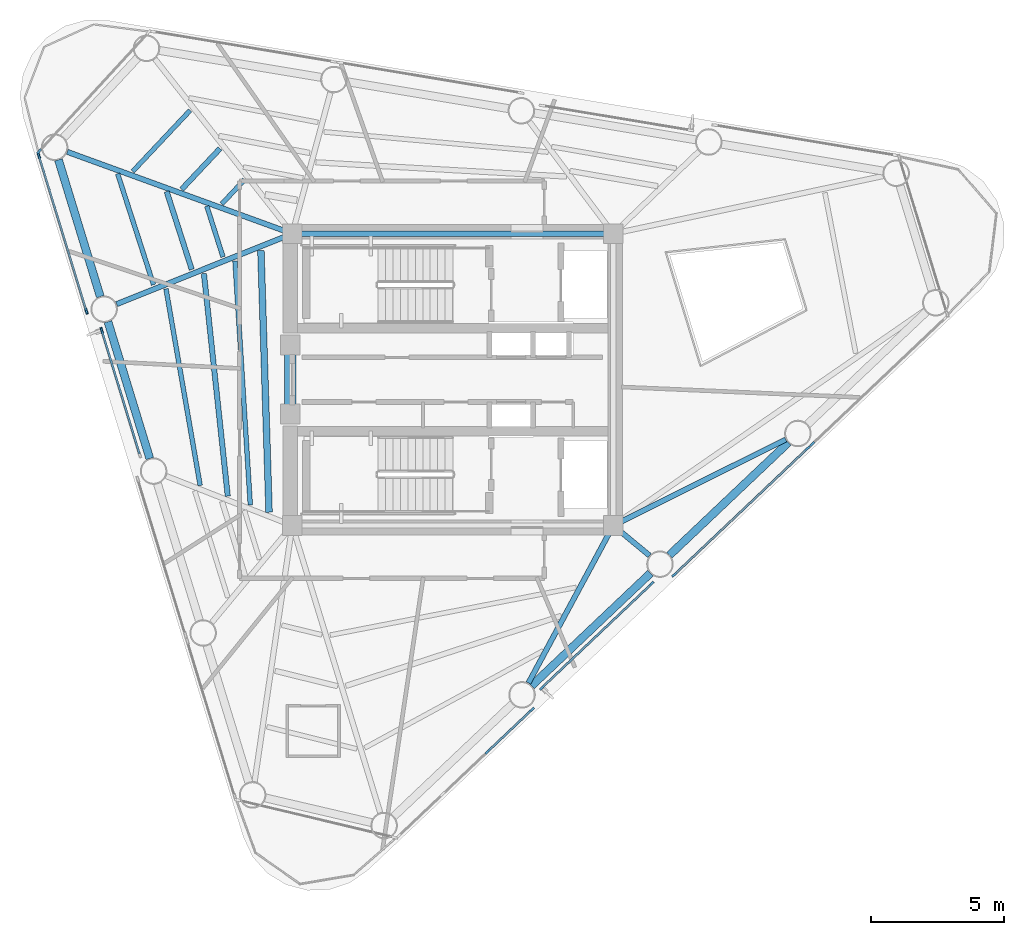
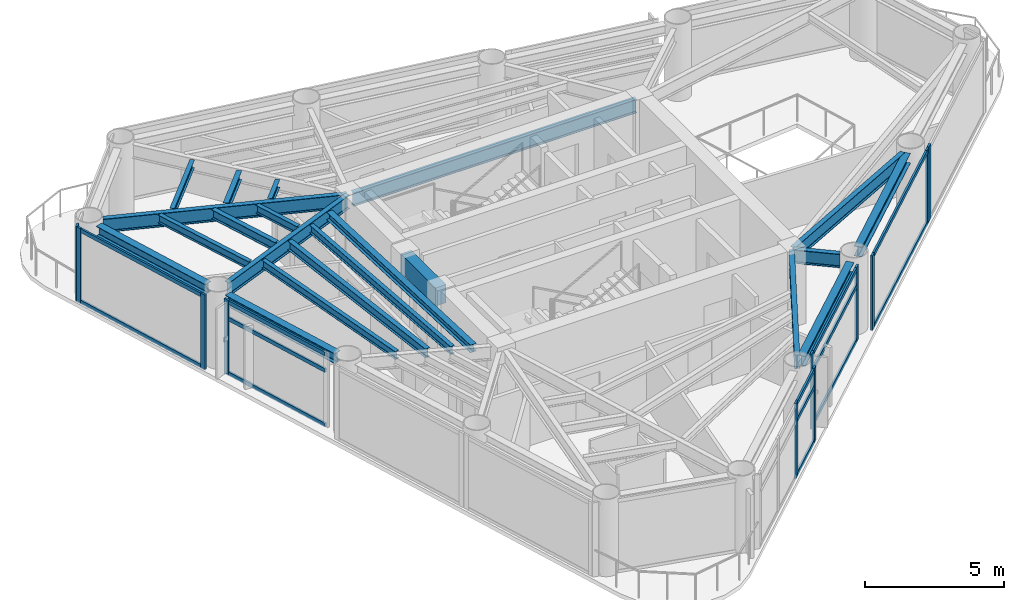
# One storey, part 2 of 9: 24 members, 21 beams, 7 elements without a shape of their own.
"""IFC4 building model written with IfcOpenShell, lengths in metres."""

from ifc_helpers import new_model, si_unit, direction, frame, origin, origin_2d, place, context, subcontext, project, spatial, rectangle, i_section, extrude, source, transform, mapped, material, layer, layer_set, material_profile, profile_set, type_object, element, aggregate, save


model = new_model("IFC4")

# Units and contexts
model_context = context("Model", 3, precision=1e-05, world=origin(), true_north=direction((0.0, 1.0)))
body_context = subcontext(model_context, "Body", "Model", "MODEL_VIEW")
ifc_project = project(units=[si_unit("LENGTHUNIT", "METRE"), si_unit("AREAUNIT", "SQUARE_METRE"), si_unit("VOLUMEUNIT", "CUBIC_METRE"), si_unit("PLANEANGLEUNIT", "RADIAN"), si_unit("MASSUNIT", "GRAM", prefix="KILO")], contexts=[model_context])

# Site, building, storey
site_placement = place(None, origin())
site = spatial("IfcSite", under=ifc_project, at=site_placement, CompositionType="ELEMENT")
building_placement = place(site_placement, origin())
building = spatial("IfcBuilding", under=site, at=building_placement, Name="Yunling Apex Tower", CompositionType="ELEMENT")
storey_placement = place(building_placement, frame((0.0, 0.0, 232.050048828125)))
storey = spatial("IfcBuildingStorey", under=building, at=storey_placement, Name="L56", CompositionType="ELEMENT", Elevation=232.050048828125)

# Beams
ifc_material_1 = material(Name="Concrete C40", Category="concrete")
ifc_material_profile_1 = material_profile(ifc_material_1, rectangle(XDim=0.449951171875, YDim=0.800048828125, at=origin_2d()))
ifc_profile_set_1 = profile_set([ifc_material_profile_1], Name="Concrete C40")
beam_type_1 = type_object("IfcBeamType", Name="BC-CPL-3", PredefinedType="BEAM", material=ifc_profile_set_1)
shared_shape_1 = source(origin(), body_context, "Body", "SweptSolid", [
    extrude(rectangle(XDim=0.449951171875, YDim=0.800048828125, at=origin_2d()), origin(), (0.0, 0.0, 1.0), 2.5),
])
beam_1_placement = place(storey_placement, frame((-6.125, -1.25, 2.820068359375), z_axis=(0.0, 1.0, 0.0), x_axis=(-1.0, 0.0, 0.0)))
element("IfcBeam", 1, at=beam_1_placement, inside=storey, type_object=beam_type_1, Name="L56 Core West Portal Coupling Beam", PredefinedType="BEAM", context=body_context, shape_type="MappedRepresentation", body=[
    mapped(shared_shape_1, transform((0.0, 0.0, 0.0), scale=1.0)),
])
ifc_material_2 = material(Name="Steel Q355B", Category="steel")
ifc_material_profile_2 = material_profile(ifc_material_2, i_section(OverallWidth=0.199951171875, OverallDepth=0.60009765625, WebThickness=0.010986328125, FlangeThickness=0.01708984375, FilletRadius=0.02197265625, at=origin_2d()))
ifc_profile_set_2 = profile_set([ifc_material_profile_2], Name="Steel Q355B")
beam_type_2 = type_object("IfcBeamType", Name="BG-PRI-5", PredefinedType="USERDEFINED", material=ifc_profile_set_2)
shared_shape_2 = source(origin(), body_context, "Body", "SweptSolid", [
    extrude(i_section(OverallWidth=0.199951171875, OverallDepth=0.60009765625, WebThickness=0.010986328125, FlangeThickness=0.01708984375, FilletRadius=0.02197265625, at=origin_2d()), origin(), (0.0, 0.0, 1.0), 11.7998046875),
])
beam_2_placement = place(storey_placement, frame((5.89990234375, 5.5, 2.919921875), z_axis=(-1.0, 0.0, 0.0), x_axis=(0.0, -1.0, 0.0)))
element("IfcBeam", 2, at=beam_2_placement, inside=storey, type_object=beam_type_2, Name="L56 Core Ring Tie Beam 3", ObjectType="GIRDER", PredefinedType="USERDEFINED", context=body_context, shape_type="MappedRepresentation", body=[
    mapped(shared_shape_2, transform((0.0, 0.0, 0.0), scale=1.0)),
])
ifc_material_profile_3 = material_profile(ifc_material_2, i_section(OverallWidth=0.300048828125, OverallDepth=0.43994140625, WebThickness=0.010986328125, FlangeThickness=0.01806640625, FilletRadius=0.02197265625, at=origin_2d()))
ifc_profile_set_3 = profile_set([ifc_material_profile_3], Name="Steel Q355B")
beam_type_3 = type_object("IfcBeamType", Name="BP-SPN-3", PredefinedType="SPANDREL", material=ifc_profile_set_3)
shared_shape_3 = source(origin(), body_context, "Body", "SweptSolid", [
    extrude(i_section(OverallWidth=0.300048828125, OverallDepth=0.43994140625, WebThickness=0.010986328125, FlangeThickness=0.01806640625, FilletRadius=0.02197265625, at=origin_2d()), origin(), (0.0, 0.0, 1.0), 6.17333984375),
])
beam_3_placement = place(storey_placement, frame((8.16748046875, -6.6162109375, 3.0), z_axis=(0.725853952128, 0.687848849807, 0.0), x_axis=(-0.687848849807, 0.725853952128, 0.0)))
element("IfcBeam", 3, at=beam_3_placement, inside=storey, type_object=beam_type_3, Name="L56 Perimeter Spandrel Beam 3", PredefinedType="SPANDREL", context=body_context, shape_type="MappedRepresentation", body=[
    mapped(shared_shape_3, transform((0.0, 0.0, 0.0), scale=1.0)),
])
shared_shape_4 = source(origin(), body_context, "Body", "SweptSolid", [
    extrude(i_section(OverallWidth=0.300048828125, OverallDepth=0.43994140625, WebThickness=0.010986328125, FlangeThickness=0.01806640625, FilletRadius=0.02197265625, at=origin_2d()), origin(), (0.0, 0.0, 1.0), 6.173095703125),
])
beam_4_placement = place(storey_placement, frame((2.969482421875, -11.5419921875, 3.0), z_axis=(0.725873697531, 0.687828012829, 0.0), x_axis=(-0.687828012829, 0.725873697531, 0.0)))
element("IfcBeam", 4, at=beam_4_placement, inside=storey, type_object=beam_type_3, Name="L56 Perimeter Spandrel Beam 2", PredefinedType="SPANDREL", context=body_context, shape_type="MappedRepresentation", body=[
    mapped(shared_shape_4, transform((0.0, 0.0, 0.0), scale=1.0)),
])
shared_shape_5 = source(origin(), body_context, "Body", "SweptSolid", [
    extrude(i_section(OverallWidth=0.300048828125, OverallDepth=0.43994140625, WebThickness=0.010986328125, FlangeThickness=0.01806640625, FilletRadius=0.02197265625, at=origin_2d()), origin(), (0.0, 0.0, 1.0), 5.39404296875),
])
for number, where, z_axis, x_axis, name in (
    (5, (-14.863037109375, 8.286376953125, 3.0), (0.292393318538, -0.956298147689, 0.0), (0.956298147689, 0.292393318538, 0.0), "L56 Perimeter Spandrel Beam 11"),
    (6, (-12.997314453125, 2.183349609375, 3.0), (0.292380663083, -0.956302017072, 0.0), (0.956302017072, 0.292380663083, 0.0), "L56 Perimeter Spandrel Beam 12"),
):
    element("IfcBeam", number, at=place(storey_placement, frame(where, z_axis=z_axis, x_axis=x_axis)), inside=storey, type_object=beam_type_3, Name=name, PredefinedType="SPANDREL", context=body_context, shape_type="MappedRepresentation", body=[
        mapped(shared_shape_5, transform((0.0, 0.0, 0.0), scale=1.0)),
    ])
shared_shape_6 = source(origin(), body_context, "Body", "SweptSolid", [
    extrude(i_section(OverallWidth=0.199951171875, OverallDepth=0.60009765625, WebThickness=0.010986328125, FlangeThickness=0.01708984375, FilletRadius=0.02197265625, at=origin_2d()), origin(), (0.0, 0.0, 1.0), 6.661865234375),
])
beam_5_placement = place(storey_placement, frame((2.851806640625, -11.434814453125, 2.919921875), z_axis=(0.474372979845, 0.88032396082, 0.0), x_axis=(-0.88032396082, 0.474372979845, 0.0)))
element("IfcBeam", 7, at=beam_5_placement, inside=storey, type_object=beam_type_2, Name="L56 Radial Primary Girder R02", ObjectType="GIRDER", PredefinedType="USERDEFINED", context=body_context, shape_type="MappedRepresentation", body=[
    mapped(shared_shape_6, transform((0.0, 0.0, 0.0), scale=1.0)),
])
shared_shape_7 = source(origin(), body_context, "Body", "SweptSolid", [
    extrude(i_section(OverallWidth=0.199951171875, OverallDepth=0.60009765625, WebThickness=0.010986328125, FlangeThickness=0.01708984375, FilletRadius=0.02197265625, at=origin_2d()), origin(), (0.0, 0.0, 1.0), 1.695556640625),
])
beam_6_placement = place(storey_placement, frame((7.417724609375, -6.632080078125, 2.919921875), z_axis=(-0.770365054174, 0.637603076614, 0.0), x_axis=(-0.637603076614, -0.770365054174, 0.0)))
element("IfcBeam", 8, at=beam_6_placement, inside=storey, type_object=beam_type_2, Name="L56 Radial Primary Girder R03", ObjectType="GIRDER", PredefinedType="USERDEFINED", context=body_context, shape_type="MappedRepresentation", body=[
    mapped(shared_shape_7, transform((0.0, 0.0, 0.0), scale=1.0)),
])
shared_shape_8 = source(origin(), body_context, "Body", "SweptSolid", [
    extrude(i_section(OverallWidth=0.199951171875, OverallDepth=0.60009765625, WebThickness=0.010986328125, FlangeThickness=0.01708984375, FilletRadius=0.02197265625, at=origin_2d()), origin(), (0.0, 0.0, 1.0), 7.1865234375),
])
beam_7_placement = place(storey_placement, frame((12.552490234375, -2.256591796875, 2.919921875), z_axis=(-0.894854827722, -0.446357297803, 0.0), x_axis=(0.446357297803, -0.894854827722, 0.0)))
element("IfcBeam", 9, at=beam_7_placement, inside=storey, type_object=beam_type_2, Name="L56 Radial Primary Girder R04", ObjectType="GIRDER", PredefinedType="USERDEFINED", context=body_context, shape_type="MappedRepresentation", body=[
    mapped(shared_shape_8, transform((0.0, 0.0, 0.0), scale=1.0)),
])
shared_shape_9 = source(origin(), body_context, "Body", "SweptSolid", [
    extrude(i_section(OverallWidth=0.199951171875, OverallDepth=0.60009765625, WebThickness=0.010986328125, FlangeThickness=0.01708984375, FilletRadius=0.02197265625, at=origin_2d()), origin(), (0.0, 0.0, 1.0), 8.943603515625),
])
beam_8_placement = place(storey_placement, frame((-14.530029296875, 8.5849609375, 2.919921875), z_axis=(0.939745593755, -0.341874566205, 0.0), x_axis=(0.341874566205, 0.939745593755, 0.0)))
element("IfcBeam", 10, at=beam_8_placement, inside=storey, type_object=beam_type_2, Name="L56 Radial Primary Girder R11", ObjectType="GIRDER", PredefinedType="USERDEFINED", context=body_context, shape_type="MappedRepresentation", body=[
    mapped(shared_shape_9, transform((0.0, 0.0, 0.0), scale=1.0)),
])
shared_shape_10 = source(origin(), body_context, "Body", "SweptSolid", [
    extrude(i_section(OverallWidth=0.199951171875, OverallDepth=0.60009765625, WebThickness=0.010986328125, FlangeThickness=0.01708984375, FilletRadius=0.02197265625, at=origin_2d()), origin(), (0.0, 0.0, 1.0), 7.052734375),
])
beam_9_placement = place(storey_placement, frame((-12.670166015625, 2.8447265625, 2.919921875), z_axis=(0.928127733356, 0.372261884399, 0.0), x_axis=(-0.372261884399, 0.928127733356, 0.0)))
element("IfcBeam", 11, at=beam_9_placement, inside=storey, type_object=beam_type_2, Name="L56 Radial Primary Girder R12", ObjectType="GIRDER", PredefinedType="USERDEFINED", context=body_context, shape_type="MappedRepresentation", body=[
    mapped(shared_shape_10, transform((0.0, 0.0, 0.0), scale=1.0)),
])
ifc_material_profile_4 = material_profile(ifc_material_2, i_section(OverallWidth=0.199951171875, OverallDepth=0.39990234375, WebThickness=0.008056640625, FlangeThickness=0.012939453125, FilletRadius=0.01611328125, at=origin_2d()))
ifc_profile_set_4 = profile_set([ifc_material_profile_4], Name="Steel Q355B")
beam_type_4 = type_object("IfcBeamType", Name="BS-SEC-4", PredefinedType="BEAM", material=ifc_profile_set_4)
shared_shape_11 = source(origin(), body_context, "Body", "SweptSolid", [
    extrude(i_section(OverallWidth=0.199951171875, OverallDepth=0.39990234375, WebThickness=0.008056640625, FlangeThickness=0.012939453125, FilletRadius=0.01611328125, at=origin_2d()), origin(), (0.0, 0.0, 1.0), 2.108154296875),
])
beam_10_placement = place(storey_placement, frame((-8.774169921875, 8.708984375, 3.02001953125), z_axis=(-0.684880497063, -0.728655408779, 0.0), x_axis=(0.728655408779, -0.684880497063, 0.0)))
element("IfcBeam", 12, at=beam_10_placement, inside=storey, type_object=beam_type_4, Name="L56 Composite Floor Beam BS-10", PredefinedType="BEAM", context=body_context, shape_type="MappedRepresentation", body=[
    mapped(shared_shape_11, transform((0.0, 0.0, 0.0), scale=1.0)),
])
ifc_material_profile_5 = material_profile(ifc_material_2, i_section(OverallWidth=0.175048828125, OverallDepth=0.35009765625, WebThickness=0.007080078125, FlangeThickness=0.010986328125, FilletRadius=0.013916015625, at=origin_2d()))
ifc_profile_set_5 = profile_set([ifc_material_profile_5], Name="Steel Q355B")
beam_type_5 = type_object("IfcBeamType", Name="BJ-JST-1", PredefinedType="JOIST", material=ifc_profile_set_5)
shared_shape_12 = source(origin(), body_context, "Body", "SweptSolid", [
    extrude(i_section(OverallWidth=0.175048828125, OverallDepth=0.35009765625, WebThickness=0.007080078125, FlangeThickness=0.010986328125, FilletRadius=0.013916015625, at=origin_2d()), origin(), (0.0, 0.0, 1.0), 3.157470703125),
])
beam_11_placement = place(storey_placement, frame((-9.903076171875, 10.14453125, 3.044921875), z_axis=(-0.685403289292, -0.728163670494, 0.0), x_axis=(0.728163670494, -0.685403289292, 0.0)))
element("IfcBeam", 13, at=beam_11_placement, inside=storey, type_object=beam_type_5, Name="L56 Composite Floor Joist BJ1-10", PredefinedType="JOIST", context=body_context, shape_type="MappedRepresentation", body=[
    mapped(shared_shape_12, transform((0.0, 0.0, 0.0), scale=1.0)),
])
shared_shape_13 = source(origin(), body_context, "Body", "SweptSolid", [
    extrude(i_section(OverallWidth=0.175048828125, OverallDepth=0.35009765625, WebThickness=0.007080078125, FlangeThickness=0.010986328125, FilletRadius=0.013916015625, at=origin_2d()), origin(), (0.0, 0.0, 1.0), 1.249755859375),
])
beam_12_placement = place(storey_placement, frame((-7.8505859375, 7.5341796875, 3.044921875), z_axis=(-0.683980120085, -0.729500647929, 0.0), x_axis=(0.729500647929, -0.683980120085, 0.0)))
element("IfcBeam", 14, at=beam_12_placement, inside=storey, type_object=beam_type_5, Name="L56 Composite Floor Joist BJ3-10", PredefinedType="JOIST", context=body_context, shape_type="MappedRepresentation", body=[
    mapped(shared_shape_13, transform((0.0, 0.0, 0.0), scale=1.0)),
])
shared_shape_14 = source(origin(), body_context, "Body", "SweptSolid", [
    extrude(i_section(OverallWidth=0.199951171875, OverallDepth=0.39990234375, WebThickness=0.008056640625, FlangeThickness=0.012939453125, FilletRadius=0.01611328125, at=origin_2d()), origin(), (0.0, 0.0, 1.0), 3.083251953125),
])
beam_13_placement = place(storey_placement, frame((-10.782958984375, 7.08740234375, 3.02001953125), z_axis=(0.306209104811, -0.951964276709, 0.0), x_axis=(0.951964276709, 0.306209104811, 0.0)))
element("IfcBeam", 15, at=beam_13_placement, inside=storey, type_object=beam_type_4, Name="L56 Composite Floor Beam BS-11", PredefinedType="BEAM", context=body_context, shape_type="MappedRepresentation", body=[
    mapped(shared_shape_14, transform((0.0, 0.0, 0.0), scale=1.0)),
])
shared_shape_15 = source(origin(), body_context, "Body", "SweptSolid", [
    extrude(i_section(OverallWidth=0.175048828125, OverallDepth=0.35009765625, WebThickness=0.007080078125, FlangeThickness=0.010986328125, FilletRadius=0.013916015625, at=origin_2d()), origin(), (0.0, 0.0, 1.0), 4.3984375),
])
beam_14_placement = place(storey_placement, frame((-12.6318359375, 7.760009765625, 3.044921875), z_axis=(0.307505485962, -0.951546307913, 0.0), x_axis=(0.951546307913, 0.307505485962, 0.0)))
element("IfcBeam", 16, at=beam_14_placement, inside=storey, type_object=beam_type_5, Name="L56 Composite Floor Joist BJ1-11", PredefinedType="JOIST", context=body_context, shape_type="MappedRepresentation", body=[
    mapped(shared_shape_15, transform((0.0, 0.0, 0.0), scale=1.0)),
])
shared_shape_16 = source(origin(), body_context, "Body", "SweptSolid", [
    extrude(i_section(OverallWidth=0.175048828125, OverallDepth=0.35009765625, WebThickness=0.007080078125, FlangeThickness=0.010986328125, FilletRadius=0.013916015625, at=origin_2d()), origin(), (0.0, 0.0, 1.0), 2.0068359375),
])
beam_15_placement = place(storey_placement, frame((-9.2705078125, 6.536865234375, 3.044921875), z_axis=(0.304011984445, -0.95266820736, 0.0), x_axis=(0.95266820736, 0.304011984445, 0.0)))
element("IfcBeam", 17, at=beam_15_placement, inside=storey, type_object=beam_type_5, Name="L56 Composite Floor Joist BJ3-11", PredefinedType="JOIST", context=body_context, shape_type="MappedRepresentation", body=[
    mapped(shared_shape_16, transform((0.0, 0.0, 0.0), scale=1.0)),
])
shared_shape_17 = source(origin(), body_context, "Body", "SweptSolid", [
    extrude(i_section(OverallWidth=0.199951171875, OverallDepth=0.39990234375, WebThickness=0.008056640625, FlangeThickness=0.012939453125, FilletRadius=0.01611328125, at=origin_2d()), origin(), (0.0, 0.0, 1.0), 8.439208984375),
])
beam_16_placement = place(storey_placement, frame((-9.380126953125, 3.998291015625, 3.02001953125), z_axis=(0.106576025189, -0.994304556389, 0.0), x_axis=(0.994304556389, 0.106576025189, 0.0)))
element("IfcBeam", 18, at=beam_16_placement, inside=storey, type_object=beam_type_4, Name="L56 Composite Floor Beam BS-12", PredefinedType="BEAM", context=body_context, shape_type="MappedRepresentation", body=[
    mapped(shared_shape_17, transform((0.0, 0.0, 0.0), scale=1.0)),
])
shared_shape_18 = source(origin(), body_context, "Body", "SweptSolid", [
    extrude(i_section(OverallWidth=0.175048828125, OverallDepth=0.35009765625, WebThickness=0.007080078125, FlangeThickness=0.010986328125, FilletRadius=0.013916015625, at=origin_2d()), origin(), (0.0, 0.0, 1.0), 7.523681640625),
])
beam_17_placement = place(storey_placement, frame((-10.809814453125, 3.42236328125, 3.044921875), z_axis=(0.171367194042, -0.985207229372, 0.0), x_axis=(0.985207229372, 0.171367194042, 0.0)))
element("IfcBeam", 19, at=beam_17_placement, inside=storey, type_object=beam_type_5, Name="L56 Composite Floor Joist BJ1-12", PredefinedType="JOIST", context=body_context, shape_type="MappedRepresentation", body=[
    mapped(shared_shape_18, transform((0.0, 0.0, 0.0), scale=1.0)),
])
shared_shape_19 = source(origin(), body_context, "Body", "SweptSolid", [
    extrude(i_section(OverallWidth=0.175048828125, OverallDepth=0.35009765625, WebThickness=0.007080078125, FlangeThickness=0.010986328125, FilletRadius=0.013916015625, at=origin_2d()), origin(), (0.0, 0.0, 1.0), 9.211669921875),
])
beam_18_placement = place(storey_placement, frame((-8.208984375, 4.470458984375, 3.044921875), z_axis=(0.062680234959, -0.998033660828, 0.0), x_axis=(0.998033660828, 0.062680234959, 0.0)))
element("IfcBeam", 20, at=beam_18_placement, inside=storey, type_object=beam_type_5, Name="L56 Composite Floor Joist BJ3-12", PredefinedType="JOIST", context=body_context, shape_type="MappedRepresentation", body=[
    mapped(shared_shape_19, transform((0.0, 0.0, 0.0), scale=1.0)),
])
ifc_material_profile_6 = material_profile(ifc_material_2, i_section(OverallWidth=0.25, OverallDepth=0.340087890625, WebThickness=0.009033203125, FlangeThickness=0.013916015625, FilletRadius=0.01806640625, at=origin_2d()))
ifc_profile_set_6 = profile_set([ifc_material_profile_6], Name="Steel Q355B")
beam_type_6 = type_object("IfcBeamType", Name="BJ-JST-2", PredefinedType="JOIST", material=ifc_profile_set_6)
shared_shape_20 = source(origin(), body_context, "Body", "SweptSolid", [
    extrude(i_section(OverallWidth=0.25, OverallDepth=0.340087890625, WebThickness=0.009033203125, FlangeThickness=0.013916015625, FilletRadius=0.01806640625, at=origin_2d()), origin(), (0.0, 0.0, 1.0), 9.867431640625),
])
beam_19_placement = place(storey_placement, frame((-7.232177734375, 4.864013671875, 3.050048828125), z_axis=(0.03115055603, -0.999514703673, 0.0), x_axis=(0.999514703673, 0.03115055603, 0.0)))
element("IfcBeam", 21, at=beam_19_placement, inside=storey, type_object=beam_type_6, Name="L56 Composite Floor Joist BJ2-12", PredefinedType="JOIST", context=body_context, shape_type="MappedRepresentation", body=[
    mapped(shared_shape_20, transform((0.0, 0.0, 0.0), scale=1.0)),
])

# Curtain wall, members
ifc_material_3 = material(Name="Bronze anodised aluminium", Category="aluminium")
ifc_layer = layer(ifc_material_3, 0.219970703125)
ifc_layer_set = layer_set([ifc_layer], Name="Bronze anodised aluminium")
curtain_wall_type = type_object("IfcCurtainWallType", Name="CW-SYS-4", PredefinedType="NOTDEFINED", material=ifc_layer_set)
curtain_wall_1_placement = place(storey_placement, origin())
curtain_wall_1 = element("IfcCurtainWall", 22, at=curtain_wall_1_placement, inside=storey, type_object=curtain_wall_type, Name="CW-L56-F1-B1", PredefinedType="NOTDEFINED")
ifc_material_profile_7 = material_profile(ifc_material_3, rectangle(XDim=0.080078125, YDim=0.169921875, at=origin_2d()))
ifc_profile_set_7 = profile_set([ifc_material_profile_7], Name="Bronze anodised aluminium")
member_type_1 = type_object("IfcMemberType", Name="CW-TRN-4", PredefinedType="USERDEFINED", material=ifc_profile_set_7)
shared_shape_21 = source(origin(), body_context, "Body", "SweptSolid", [
    extrude(rectangle(XDim=0.080078125, YDim=0.169921875, at=origin_2d()), origin(), (0.0, 0.0, 1.0), 2.2216796875),
])
member_1_placement = place(storey_placement, frame((1.3388671875, -13.99658203125, 0.0400390625), z_axis=(0.725808289903, 0.687897031763, 0.0), x_axis=(-0.687897031763, 0.725808289903, 0.0)))
member_1 = element("IfcMember", 23, at=member_1_placement, type_object=member_type_1, Name="CW-SYS-4 transom 3.1", ObjectType="TRANSOM", PredefinedType="USERDEFINED", context=body_context, shape_type="MappedRepresentation", body=[
    mapped(shared_shape_21, transform((0.0, 0.0, 0.0), scale=1.0)),
])
member_2_placement = place(storey_placement, frame((1.3388671875, -13.99658203125, 2.447265625), z_axis=(0.725808289903, 0.687897031763, 0.0), x_axis=(-0.687897031763, 0.725808289903, 0.0)))
member_2 = element("IfcMember", 24, at=member_2_placement, type_object=member_type_1, Name="CW-SYS-4 transom 3.2", ObjectType="TRANSOM", PredefinedType="USERDEFINED", context=body_context, shape_type="MappedRepresentation", body=[
    mapped(shared_shape_21, transform((0.0, 0.0, 0.0), scale=1.0)),
])
member_3_placement = place(storey_placement, frame((1.3388671875, -13.99658203125, 3.179931640625), z_axis=(0.725808289903, 0.687897031763, 0.0), x_axis=(-0.687897031763, 0.725808289903, 0.0)))
member_3 = element("IfcMember", 25, at=member_3_placement, type_object=member_type_1, Name="CW-SYS-4 transom 3.3", ObjectType="TRANSOM", PredefinedType="USERDEFINED", context=body_context, shape_type="MappedRepresentation", body=[
    mapped(shared_shape_21, transform((0.0, 0.0, 0.0), scale=1.0)),
])

curtain_wall_2_placement = place(storey_placement, origin())
curtain_wall_2 = element("IfcCurtainWall", 26, at=curtain_wall_2_placement, inside=storey, type_object=curtain_wall_type, Name="CW-L56-F1-B2", PredefinedType="NOTDEFINED")
shared_shape_22 = source(origin(), body_context, "Body", "SweptSolid", [
    extrude(rectangle(XDim=0.080078125, YDim=0.169921875, at=origin_2d()), origin(), (0.0, 0.0, 1.0), 5.609619140625),
])
member_4_placement = place(storey_placement, frame((3.39404296875, -11.580322265625, 0.0400390625), z_axis=(0.725870335167, 0.687831561157, 0.0), x_axis=(-0.687831561157, 0.725870335167, 0.0)))
member_4 = element("IfcMember", 27, at=member_4_placement, type_object=member_type_1, Name="CW-SYS-4 transom 1.1", ObjectType="TRANSOM", PredefinedType="USERDEFINED", context=body_context, shape_type="MappedRepresentation", body=[
    mapped(shared_shape_22, transform((0.0, 0.0, 0.0), scale=1.0)),
])
member_5_placement = place(storey_placement, frame((3.39404296875, -11.580322265625, 2.447265625), z_axis=(0.725870335167, 0.687831561157, 0.0), x_axis=(-0.687831561157, 0.725870335167, 0.0)))
member_5 = element("IfcMember", 28, at=member_5_placement, type_object=member_type_1, Name="CW-SYS-4 transom 1.2", ObjectType="TRANSOM", PredefinedType="USERDEFINED", context=body_context, shape_type="MappedRepresentation", body=[
    mapped(shared_shape_22, transform((0.0, 0.0, 0.0), scale=1.0)),
])
member_6_placement = place(storey_placement, frame((3.39404296875, -11.580322265625, 3.179931640625), z_axis=(0.725870335167, 0.687831561157, 0.0), x_axis=(-0.687831561157, 0.725870335167, 0.0)))
member_6 = element("IfcMember", 29, at=member_6_placement, type_object=member_type_1, Name="CW-SYS-4 transom 1.3", ObjectType="TRANSOM", PredefinedType="USERDEFINED", context=body_context, shape_type="MappedRepresentation", body=[
    mapped(shared_shape_22, transform((0.0, 0.0, 0.0), scale=1.0)),
])

curtain_wall_3_placement = place(storey_placement, origin())
curtain_wall_3 = element("IfcCurtainWall", 30, at=curtain_wall_3_placement, inside=storey, type_object=curtain_wall_type, Name="CW-L56-F1-B3", PredefinedType="NOTDEFINED")
shared_shape_23 = source(origin(), body_context, "Body", "SweptSolid", [
    extrude(rectangle(XDim=0.080078125, YDim=0.169921875, at=origin_2d()), origin(), (0.0, 0.0, 1.0), 6.849365234375),
])
member_7_placement = place(storey_placement, frame((8.376220703125, -7.32763671875, 0.0400390625), z_axis=(0.725867443411, 0.687834612822, 0.0), x_axis=(-0.687834612822, 0.725867443411, 0.0)))
member_7 = element("IfcMember", 31, at=member_7_placement, type_object=member_type_1, Name="CW-SYS-4 transom 1.1", ObjectType="TRANSOM", PredefinedType="USERDEFINED", context=body_context, shape_type="MappedRepresentation", body=[
    mapped(shared_shape_23, transform((0.0, 0.0, 0.0), scale=1.0)),
])
member_8_placement = place(storey_placement, frame((8.376220703125, -7.32763671875, 3.179931640625), z_axis=(0.725867443411, 0.687834612822, 0.0), x_axis=(-0.687834612822, 0.725867443411, 0.0)))
member_8 = element("IfcMember", 32, at=member_8_placement, type_object=member_type_1, Name="CW-SYS-4 transom 1.2", ObjectType="TRANSOM", PredefinedType="USERDEFINED", context=body_context, shape_type="MappedRepresentation", body=[
    mapped(shared_shape_23, transform((0.0, 0.0, 0.0), scale=1.0)),
])

curtain_wall_4_placement = place(storey_placement, origin())
curtain_wall_4 = element("IfcCurtainWall", 33, at=curtain_wall_4_placement, inside=storey, type_object=curtain_wall_type, Name="CW-L56-F3-B1", PredefinedType="NOTDEFINED")
shared_shape_24 = source(origin(), body_context, "Body", "SweptSolid", [
    extrude(rectangle(XDim=0.080078125, YDim=0.169921875, at=origin_2d()), origin(), (0.0, 0.0, 1.0), 6.06982421875),
])
member_9_placement = place(storey_placement, frame((-15.593017578125, 8.41650390625, 0.0400390625), z_axis=(0.292369766892, -0.956305348415, 0.0), x_axis=(0.956305348415, 0.292369766892, 0.0)))
member_9 = element("IfcMember", 34, at=member_9_placement, type_object=member_type_1, Name="CW-SYS-4 transom 1.1", ObjectType="TRANSOM", PredefinedType="USERDEFINED", context=body_context, shape_type="MappedRepresentation", body=[
    mapped(shared_shape_24, transform((0.0, 0.0, 0.0), scale=1.0)),
])
member_10_placement = place(storey_placement, frame((-15.593017578125, 8.41650390625, 3.179931640625), z_axis=(0.292369766892, -0.956305348415, 0.0), x_axis=(0.956305348415, 0.292369766892, 0.0)))
member_10 = element("IfcMember", 35, at=member_10_placement, type_object=member_type_1, Name="CW-SYS-4 transom 1.2", ObjectType="TRANSOM", PredefinedType="USERDEFINED", context=body_context, shape_type="MappedRepresentation", body=[
    mapped(shared_shape_24, transform((0.0, 0.0, 0.0), scale=1.0)),
])

curtain_wall_5_placement = place(storey_placement, origin())
curtain_wall_5 = element("IfcCurtainWall", 36, at=curtain_wall_5_placement, inside=storey, type_object=curtain_wall_type, Name="CW-L56-F3-B2", PredefinedType="NOTDEFINED")
shared_shape_25 = source(origin(), body_context, "Body", "SweptSolid", [
    extrude(rectangle(XDim=0.080078125, YDim=0.169921875, at=origin_2d()), origin(), (0.0, 0.0, 1.0), 4.829833984375),
])
member_11_placement = place(storey_placement, frame((-13.220703125, 1.820068359375, 0.0400390625), z_axis=(0.292366214736, -0.956306434403, 0.0), x_axis=(0.956306434403, 0.292366214736, 0.0)))
member_11 = element("IfcMember", 37, at=member_11_placement, type_object=member_type_1, Name="CW-SYS-4 transom 1.1", ObjectType="TRANSOM", PredefinedType="USERDEFINED", context=body_context, shape_type="MappedRepresentation", body=[
    mapped(shared_shape_25, transform((0.0, 0.0, 0.0), scale=1.0)),
])
member_12_placement = place(storey_placement, frame((-13.220703125, 1.820068359375, 2.447265625), z_axis=(0.292366214736, -0.956306434403, 0.0), x_axis=(0.956306434403, 0.292366214736, 0.0)))
member_12 = element("IfcMember", 38, at=member_12_placement, type_object=member_type_1, Name="CW-SYS-4 transom 1.2", ObjectType="TRANSOM", PredefinedType="USERDEFINED", context=body_context, shape_type="MappedRepresentation", body=[
    mapped(shared_shape_25, transform((0.0, 0.0, 0.0), scale=1.0)),
])
member_13_placement = place(storey_placement, frame((-13.220703125, 1.820068359375, 3.179931640625), z_axis=(0.292366214736, -0.956306434403, 0.0), x_axis=(0.956306434403, 0.292366214736, 0.0)))
member_13 = element("IfcMember", 39, at=member_13_placement, type_object=member_type_1, Name="CW-SYS-4 transom 1.3", ObjectType="TRANSOM", PredefinedType="USERDEFINED", context=body_context, shape_type="MappedRepresentation", body=[
    mapped(shared_shape_25, transform((0.0, 0.0, 0.0), scale=1.0)),
])

# Member
ifc_material_profile_8 = material_profile(ifc_material_3, rectangle(XDim=0.080078125, YDim=0.219970703125, at=origin_2d()))
ifc_profile_set_8 = profile_set([ifc_material_profile_8], Name="Bronze anodised aluminium")
member_type_2 = type_object("IfcMemberType", Name="CW-MUL-4", PredefinedType="MULLION", material=ifc_profile_set_8)
shared_shape_26 = source(origin(), body_context, "Body", "SweptSolid", [
    extrude(rectangle(XDim=0.080078125, YDim=0.219970703125, at=origin_2d()), origin(), (0.0, 0.0, 1.0), 3.320068359375),
])
member_14_placement = place(storey_placement, frame((1.312744140625, -14.021240234375, -0.050048828125), z_axis=(0.0, 0.0, 1.0), x_axis=(-0.687848040467, 0.72585471909, 0.0)))
member_14 = element("IfcMember", 40, at=member_14_placement, type_object=member_type_2, Name="CW-SYS-4 mullion 3", PredefinedType="MULLION", context=body_context, shape_type="MappedRepresentation", body=[
    mapped(shared_shape_26, transform((0.0, 0.0, 0.0), scale=1.0)),
])

member_15_placement = place(storey_placement, frame((2.977783203125, -12.443603515625, -0.050048828125), z_axis=(0.0, 0.0, 1.0), x_axis=(-0.687848040467, 0.72585471909, 0.0)))
member_15 = element("IfcMember", 41, at=member_15_placement, type_object=member_type_2, Name="CW-SYS-4 mullion 4", PredefinedType="MULLION", context=body_context, shape_type="MappedRepresentation", body=[
    mapped(shared_shape_26, transform((0.0, 0.0, 0.0), scale=1.0)),
])

aggregate(curtain_wall_1, [member_14, member_15, member_1, member_2, member_3])

member_16_placement = place(storey_placement, frame((3.367919921875, -11.605224609375, -0.050048828125), z_axis=(0.0, 0.0, 1.0), x_axis=(-0.687854406681, 0.725848686167, 0.0)))
member_16 = element("IfcMember", 42, at=member_16_placement, type_object=member_type_2, Name="CW-SYS-4 mullion 1", PredefinedType="MULLION", context=body_context, shape_type="MappedRepresentation", body=[
    mapped(shared_shape_26, transform((0.0, 0.0, 0.0), scale=1.0)),
])

member_17_placement = place(storey_placement, frame((7.491943359375, -7.697265625, -0.050048828125), z_axis=(0.0, 0.0, 1.0), x_axis=(-0.687854406681, 0.725848686167, 0.0)))
member_17 = element("IfcMember", 43, at=member_17_placement, type_object=member_type_2, Name="CW-SYS-4 mullion 2", PredefinedType="MULLION", context=body_context, shape_type="MappedRepresentation", body=[
    mapped(shared_shape_26, transform((0.0, 0.0, 0.0), scale=1.0)),
])

aggregate(curtain_wall_2, [member_16, member_17, member_4, member_5, member_6])

member_18_placement = place(storey_placement, frame((8.35009765625, -7.3525390625, -0.050048828125), z_axis=(0.0, 0.0, 1.0), x_axis=(-0.687848040467, 0.72585471909, 0.0)))
member_18 = element("IfcMember", 44, at=member_18_placement, type_object=member_type_2, Name="CW-SYS-4 mullion 1", PredefinedType="MULLION", context=body_context, shape_type="MappedRepresentation", body=[
    mapped(shared_shape_26, transform((0.0, 0.0, 0.0), scale=1.0)),
])

member_19_placement = place(storey_placement, frame((13.3740234375, -2.591552734375, -0.050048828125), z_axis=(0.0, 0.0, 1.0), x_axis=(-0.687848040467, 0.72585471909, 0.0)))
member_19 = element("IfcMember", 45, at=member_19_placement, type_object=member_type_2, Name="CW-SYS-4 mullion 2", PredefinedType="MULLION", context=body_context, shape_type="MappedRepresentation", body=[
    mapped(shared_shape_26, transform((0.0, 0.0, 0.0), scale=1.0)),
])

aggregate(curtain_wall_3, [member_18, member_19, member_7, member_8])

# Curtain wall, member
curtain_wall_6_placement = place(storey_placement, origin())
curtain_wall_6 = element("IfcCurtainWall", 46, at=curtain_wall_6_placement, inside=storey, type_object=curtain_wall_type, Name="CW-L56-F1-B4", PredefinedType="NOTDEFINED")
member_20_placement = place(storey_placement, frame((13.54833984375, -2.426513671875, -0.050048828125), z_axis=(0.0, 0.0, 1.0), x_axis=(-0.687848040467, 0.72585471909, 0.0)))
member_20 = element("IfcMember", 47, at=member_20_placement, type_object=member_type_2, Name="CW-SYS-4 mullion 1", PredefinedType="MULLION", context=body_context, shape_type="MappedRepresentation", body=[
    mapped(shared_shape_26, transform((0.0, 0.0, 0.0), scale=1.0)),
])
aggregate(curtain_wall_6, [member_20])

curtain_wall_7_placement = place(storey_placement, origin())
curtain_wall_7 = element("IfcCurtainWall", 48, at=curtain_wall_7_placement, inside=storey, type_object=curtain_wall_type, Name="CW-L56-CRN2", PredefinedType="NOTDEFINED")
member_21_placement = place(storey_placement, frame((-15.592529296875, 8.60107421875, -0.050048828125), z_axis=(0.0, 0.0, 1.0), x_axis=(0.736133922549, -0.676835909266, 0.0)))
member_21 = element("IfcMember", 49, at=member_21_placement, type_object=member_type_2, Name="CW-SYS-4 mullion 2", PredefinedType="MULLION", context=body_context, shape_type="MappedRepresentation", body=[
    mapped(shared_shape_26, transform((0.0, 0.0, 0.0), scale=1.0)),
])
aggregate(curtain_wall_7, [member_21])

# Member
member_22_placement = place(storey_placement, frame((-15.603515625, 8.450927734375, -0.050048828125), z_axis=(0.0, 0.0, 1.0), x_axis=(0.956304646078, 0.29237206414, 0.0)))
member_22 = element("IfcMember", 50, at=member_22_placement, type_object=member_type_2, Name="CW-SYS-4 mullion 1", PredefinedType="MULLION", context=body_context, shape_type="MappedRepresentation", body=[
    mapped(shared_shape_26, transform((0.0, 0.0, 0.0), scale=1.0)),
])

member_23_placement = place(storey_placement, frame((-13.807861328125, 2.577392578125, -0.050048828125), z_axis=(0.0, 0.0, 1.0), x_axis=(0.956304646078, 0.29237206414, 0.0)))
member_23 = element("IfcMember", 51, at=member_23_placement, type_object=member_type_2, Name="CW-SYS-4 mullion 2", PredefinedType="MULLION", context=body_context, shape_type="MappedRepresentation", body=[
    mapped(shared_shape_26, transform((0.0, 0.0, 0.0), scale=1.0)),
])

aggregate(curtain_wall_4, [member_22, member_23, member_9, member_10])

member_24_placement = place(storey_placement, frame((-13.231201171875, 1.8544921875, -0.050048828125), z_axis=(0.0, 0.0, 1.0), x_axis=(0.956304345474, 0.29237304737, 0.0)))
member_24 = element("IfcMember", 52, at=member_24_placement, type_object=member_type_2, Name="CW-SYS-4 mullion 1", PredefinedType="MULLION", context=body_context, shape_type="MappedRepresentation", body=[
    mapped(shared_shape_26, transform((0.0, 0.0, 0.0), scale=1.0)),
])

aggregate(curtain_wall_5, [member_24, member_11, member_12, member_13])

save(model, "model.ifc")
